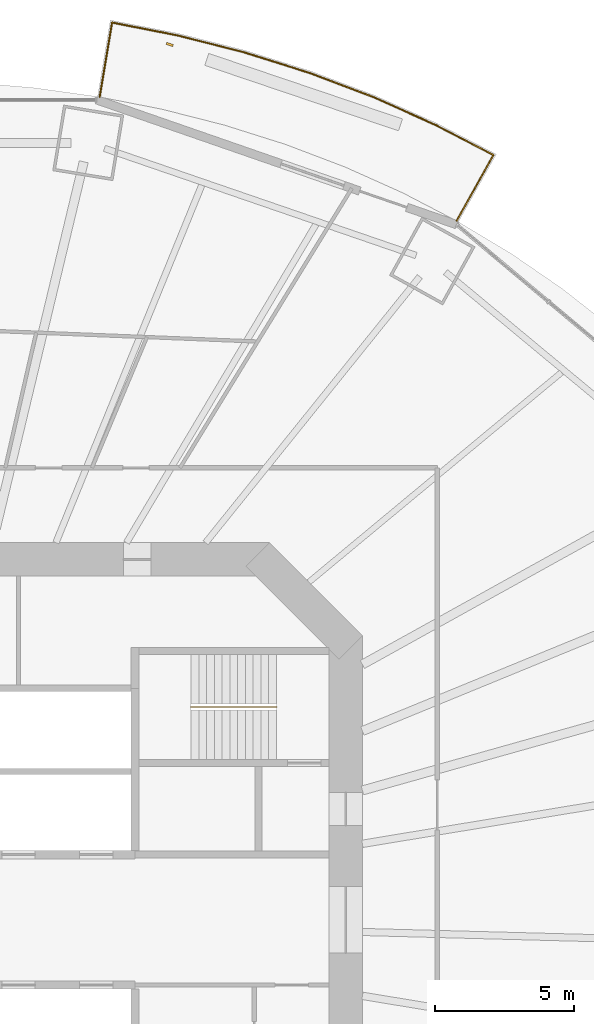
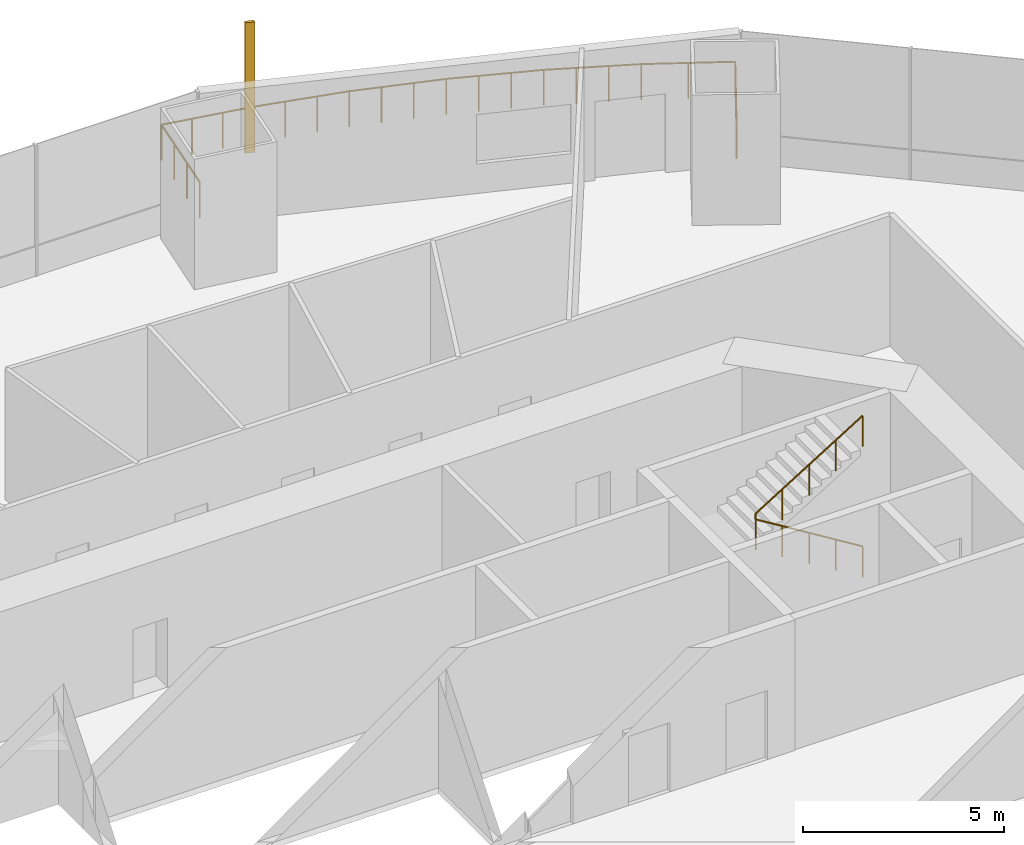
# One storey, part 21 of 23: 2 railings, 1 shading device.
"""IFC4 building model written with IfcOpenShell, lengths in metres."""

from ifc_helpers import new_model, si_unit, direction, frame, origin, origin_2d, place, context, subcontext, project, spatial, rectangle, circle, extrude, material, material_profile, profile_set, type_object, element, save


model = new_model("IFC4")

# Units and contexts
model_context = context("Model", 3, precision=1e-05, world=origin(), true_north=direction((0.0, 1.0)))
body_context = subcontext(model_context, "Body", "Model", "MODEL_VIEW")
ifc_project = project(units=[si_unit("LENGTHUNIT", "METRE"), si_unit("AREAUNIT", "SQUARE_METRE"), si_unit("VOLUMEUNIT", "CUBIC_METRE"), si_unit("PLANEANGLEUNIT", "RADIAN"), si_unit("MASSUNIT", "GRAM", prefix="KILO")], contexts=[model_context])

# Site, building, storey
site_placement = place(None, origin())
site = spatial("IfcSite", under=ifc_project, at=site_placement, CompositionType="ELEMENT")
building_placement = place(site_placement, origin())
building = spatial("IfcBuilding", under=site, at=building_placement, Name="Marenthal Gate Tower", CompositionType="ELEMENT")
storey_placement = place(building_placement, frame((0.0, 0.0, 57.89990234375)))
storey = spatial("IfcBuildingStorey", under=building, at=storey_placement, Name="L10", CompositionType="ELEMENT", Elevation=57.89990234375)

# Railings
ifc_material_1 = material(Name="Stainless steel", Category="steel")
railing_type_1 = type_object("IfcRailingType", Name="Balcony guard 1100", PredefinedType="GUARDRAIL", material=ifc_material_1)
railing_1_placement = place(storey_placement, frame((7.12451171875, 29.67431640625, 0.0)))
element("IfcRailing", 1, at=railing_1_placement, inside=storey, type_object=railing_type_1, Name="Balcony guard L10 bay 3", PredefinedType="GUARDRAIL", context=body_context, shape_type="SweptSolid", body=[
    extrude(circle(Radius=0.02392578125, at=origin_2d()), frame((0.0, 0.0, 1.076171875), z_axis=(0.164599699224, 0.98625196007, -0.014629089953), x_axis=(-0.986357511038, 0.164617315064, 0.0)), (0.0, 0.0, 1.0), 2.72021484375),
    extrude(circle(Radius=0.02392578125, at=origin_2d()), frame((0.44775390625, 2.682861328125, 1.0361328125), z_axis=(0.981247114518, -0.192753988932, 0.0), x_axis=(0.192753988932, 0.981247114518, 0.0)), (0.0, 0.0, 1.0), 2.416748046875),
    extrude(circle(Radius=0.02392578125, at=origin_2d()), frame((2.819091796875, 2.217041015625, 1.0361328125), z_axis=(0.969164557422, -0.24641440834, 0.0), x_axis=(0.24641440834, 0.969164557422, 0.0)), (0.0, 0.0, 1.0), 2.48681640625),
    extrude(circle(Radius=0.02392578125, at=origin_2d()), frame((5.229248046875, 1.604248046875, 1.0361328125), z_axis=(0.953670609563, -0.300852735495, 0.0), x_axis=(0.300852735495, 0.953670609563, 0.0)), (0.0, 0.0, 1.0), 2.474365234375),
    extrude(circle(Radius=0.02392578125, at=origin_2d()), frame((7.5888671875, 0.85986328125, 1.0361328125), z_axis=(0.934856725019, -0.355025215564, 0.0), x_axis=(0.355025215564, 0.934856725019, 0.0)), (0.0, 0.0, 1.0), 2.459716796875),
    extrude(circle(Radius=0.02392578125, at=origin_2d()), frame((9.888427734375, -0.013427734375, 1.0361328125), z_axis=(0.912604464389, -0.408843602833, 0.0), x_axis=(0.408843602833, 0.912604464389, 0.0)), (0.0, 0.0, 1.0), 2.443603515625),
    extrude(circle(Radius=0.02392578125, at=origin_2d()), frame((12.118408203125, -1.012451171875, 1.0361328125), z_axis=(0.887238949587, -0.461310141159, 0.0), x_axis=(0.461310141159, 0.887238949587, 0.0)), (0.0, 0.0, 1.0), 2.34619140625),
    extrude(circle(Radius=0.02392578125, at=origin_2d()), frame((14.199951171875, -2.0947265625, 1.0361328125), z_axis=(-0.488848937096, -0.872245790276, 0.014628672067), x_axis=(0.872339134705, -0.488901251851, 0.0)), (0.0, 0.0, 1.0), 2.720458984375),
    extrude(circle(Radius=0.02099609375, at=origin_2d()), origin(), (0.0, 0.0, 1.0), 1.052001953125),
    extrude(circle(Radius=0.02099609375, at=origin_2d()), frame((0.149169921875, 0.894287109375, -0.01318359375)), (0.0, 0.0, 1.0), 1.052001953125),
    extrude(circle(Radius=0.02099609375, at=origin_2d()), frame((0.298583984375, 1.78857421875, -0.026611328125)), (0.0, 0.0, 1.0), 1.052001953125),
    extrude(circle(Radius=0.02099609375, at=origin_2d()), frame((0.44775390625, 2.682861328125, -0.039794921875)), (0.0, 0.0, 1.0), 1.052001953125),
    extrude(circle(Radius=0.02099609375, at=origin_2d()), frame((1.23828125, 2.527587890625, -0.039794921875)), (0.0, 0.0, 1.0), 1.052001953125),
    extrude(circle(Radius=0.02099609375, at=origin_2d()), frame((2.028564453125, 2.372314453125, -0.039794921875)), (0.0, 0.0, 1.0), 1.052001953125),
    extrude(circle(Radius=0.02099609375, at=origin_2d()), frame((2.819091796875, 2.217041015625, -0.039794921875)), (0.0, 0.0, 1.0), 1.052001953125),
    extrude(circle(Radius=0.02099609375, at=origin_2d()), frame((3.62255859375, 2.0126953125, -0.039794921875)), (0.0, 0.0, 1.0), 1.052001953125),
    extrude(circle(Radius=0.02099609375, at=origin_2d()), frame((4.42578125, 1.80859375, -0.039794921875)), (0.0, 0.0, 1.0), 1.052001953125),
    extrude(circle(Radius=0.02099609375, at=origin_2d()), frame((5.229248046875, 1.604248046875, -0.039794921875)), (0.0, 0.0, 1.0), 1.052001953125),
    extrude(circle(Radius=0.02099609375, at=origin_2d()), frame((6.015869140625, 1.356201171875, -0.039794921875)), (0.0, 0.0, 1.0), 1.052001953125),
    extrude(circle(Radius=0.02099609375, at=origin_2d()), frame((6.80224609375, 1.10791015625, -0.039794921875)), (0.0, 0.0, 1.0), 1.052001953125),
    extrude(circle(Radius=0.02099609375, at=origin_2d()), frame((7.5888671875, 0.85986328125, -0.039794921875)), (0.0, 0.0, 1.0), 1.052001953125),
    extrude(circle(Radius=0.02099609375, at=origin_2d()), frame((8.35546875, 0.56884765625, -0.039794921875)), (0.0, 0.0, 1.0), 1.052001953125),
    extrude(circle(Radius=0.02099609375, at=origin_2d()), frame((9.121826171875, 0.277587890625, -0.039794921875)), (0.0, 0.0, 1.0), 1.052001953125),
    extrude(circle(Radius=0.02099609375, at=origin_2d()), frame((9.888427734375, -0.013427734375, -0.039794921875)), (0.0, 0.0, 1.0), 1.052001953125),
    extrude(circle(Radius=0.02099609375, at=origin_2d()), frame((10.6318359375, -0.346435546875, -0.039794921875)), (0.0, 0.0, 1.0), 1.052001953125),
    extrude(circle(Radius=0.02099609375, at=origin_2d()), frame((11.375, -0.679443359375, -0.039794921875)), (0.0, 0.0, 1.0), 1.052001953125),
    extrude(circle(Radius=0.02099609375, at=origin_2d()), frame((12.118408203125, -1.012451171875, -0.039794921875)), (0.0, 0.0, 1.0), 1.052001953125),
    extrude(circle(Radius=0.02099609375, at=origin_2d()), frame((13.1591796875, -1.5537109375, -0.039794921875)), (0.0, 0.0, 1.0), 1.052001953125),
    extrude(circle(Radius=0.02099609375, at=origin_2d()), frame((14.199951171875, -2.0947265625, -0.039794921875)), (0.0, 0.0, 1.0), 1.052001953125),
    extrude(circle(Radius=0.02099609375, at=origin_2d()), frame((13.756591796875, -2.8857421875, -0.026611328125)), (0.0, 0.0, 1.0), 1.052001953125),
    extrude(circle(Radius=0.02099609375, at=origin_2d()), frame((13.3134765625, -3.676513671875, -0.01318359375)), (0.0, 0.0, 1.0), 1.052001953125),
    extrude(circle(Radius=0.02099609375, at=origin_2d()), frame((12.8701171875, -4.467529296875, 0.0)), (0.0, 0.0, 1.0), 1.052001953125),
])
ifc_material_2 = material(Name="Stainless steel", Category="steel")
railing_type_2 = type_object("IfcRailingType", Name="Stair handrail", PredefinedType="HANDRAIL", material=ifc_material_2)
railing_2_placement = place(storey_placement, frame((13.5, 7.675048828125, 0.173095703125)))
element("IfcRailing", 2, at=railing_2_placement, inside=storey, type_object=railing_type_2, Name="Handrail ST3", PredefinedType="HANDRAIL", context=body_context, shape_type="SweptSolid", body=[
    extrude(circle(Radius=0.0224609375, at=origin_2d()), frame((0.0, 0.0, 0.927490234375), z_axis=(-0.850835241893, 0.0, 0.525432575268), x_axis=(0.0, -1.0, 0.0)), (0.0, 0.0, 1.0), 3.6201171875),
    extrude(circle(Radius=0.0224609375, at=origin_2d()), frame((-3.080078125, 0.0, 2.82958984375), z_axis=(0.0, 0.0, 1.0), x_axis=(1.0, 0.0, 0.0)), (0.0, 0.0, 1.0), 0.1728515625),
    extrude(circle(Radius=0.0224609375, at=origin_2d()), frame((-3.080078125, 0.0, 3.00244140625), z_axis=(0.850835241893, 0.0, 0.525432575268), x_axis=(0.0, 1.0, 0.0)), (0.0, 0.0, 1.0), 3.6201171875),
    extrude(circle(Radius=0.02001953125, at=origin_2d()), origin(), (0.0, 0.0, 1.0), 0.905029296875),
    extrude(circle(Radius=0.02001953125, at=origin_2d()), frame((-0.77001953125, 0.0, 0.4755859375)), (0.0, 0.0, 1.0), 0.905029296875),
    extrude(circle(Radius=0.02001953125, at=origin_2d()), frame((-1.5400390625, 0.0, 0.951171875)), (0.0, 0.0, 1.0), 0.905029296875),
    extrude(circle(Radius=0.02001953125, at=origin_2d()), frame((-2.31005859375, 0.0, 1.426513671875)), (0.0, 0.0, 1.0), 0.905029296875),
    extrude(circle(Radius=0.02001953125, at=origin_2d()), frame((-3.080078125, 0.0, 1.902099609375)), (0.0, 0.0, 1.0), 0.905029296875),
    extrude(circle(Radius=0.02001953125, at=origin_2d()), frame((-3.080078125, 0.0, 2.074951171875)), (0.0, 0.0, 1.0), 0.905029296875),
    extrude(circle(Radius=0.02001953125, at=origin_2d()), frame((-2.31005859375, 0.0, 2.550537109375)), (0.0, 0.0, 1.0), 0.905029296875),
    extrude(circle(Radius=0.02001953125, at=origin_2d()), frame((-1.5400390625, 0.0, 3.02587890625)), (0.0, 0.0, 1.0), 0.905029296875),
    extrude(circle(Radius=0.02001953125, at=origin_2d()), frame((-0.77001953125, 0.0, 3.50146484375)), (0.0, 0.0, 1.0), 0.905029296875),
    extrude(circle(Radius=0.02001953125, at=origin_2d()), frame((0.0, 0.0, 3.97705078125)), (0.0, 0.0, 1.0), 0.905029296875),
])

# Shading device
ifc_material_3 = material(Name="Terracotta", Category="masonry")
ifc_material_profile = material_profile(ifc_material_3, rectangle(XDim=0.25, YDim=0.080078125, at=origin_2d()), Name="Terracotta baguette 250x80")
ifc_profile_set = profile_set([ifc_material_profile], Name="Terracotta")
shading_device_type = type_object("IfcShadingDeviceType", Name="Terracotta BAGUETTE SCREEN 250x80", PredefinedType="USERDEFINED", material=ifc_profile_set)
shading_device_placement = place(storey_placement, frame((9.651123046875, 31.56787109375, -0.039794921875), z_axis=(0.0, 0.0, 1.0), x_axis=(-0.944672154092, 0.32801603815, 0.0)))
element("IfcShadingDevice", 3, at=shading_device_placement, inside=storey, type_object=shading_device_type, Name="Terracotta BAGUETTE L10 bay 3R", ObjectType="BAGUETTE SCREEN", PredefinedType="USERDEFINED", context=body_context, shape_type="SweptSolid", body=[
    extrude(rectangle(XDim=0.25, YDim=0.080078125, at=origin_2d()), origin(), (0.0, 0.0, 1.0), 3.969970703125),
])

save(model, "model.ifc")
